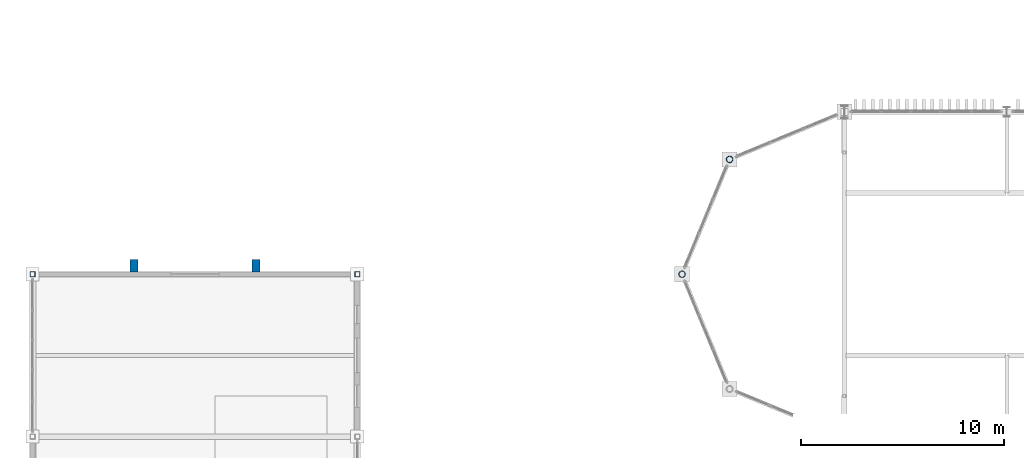
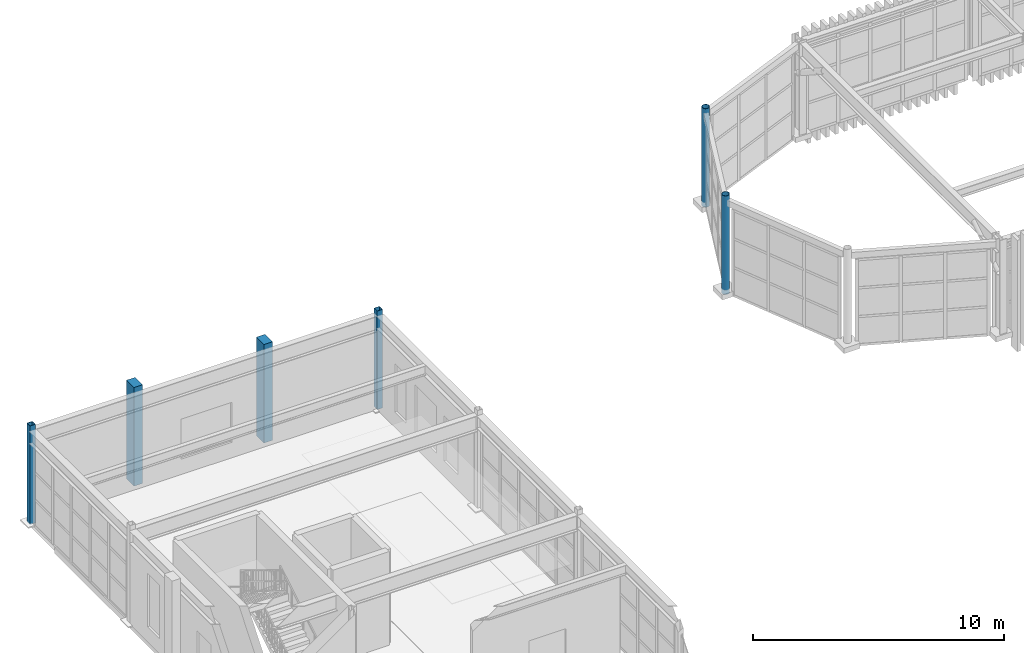
# One storey, part 6 of 61: 6 columns.
"""IFC4 building model written with IfcOpenShell, lengths in metres."""

from ifc_helpers import new_model, si_unit, direction, frame, origin, origin_2d, place, context, subcontext, project, spatial, rectangle, hollow_rectangle, hollow_circle, extrude, material, material_profile, profile_set, type_object, element, save


model = new_model("IFC4")

# Units and contexts
model_context = context("Model", 3, precision=1e-05, world=origin(), true_north=direction((0.0, 1.0)))
body_context = subcontext(model_context, "Body", "Model", "MODEL_VIEW")
ifc_project = project(units=[si_unit("LENGTHUNIT", "METRE"), si_unit("AREAUNIT", "SQUARE_METRE"), si_unit("VOLUMEUNIT", "CUBIC_METRE"), si_unit("PLANEANGLEUNIT", "RADIAN"), si_unit("MASSUNIT", "GRAM", prefix="KILO")], contexts=[model_context])

# Site, building, storey
site_placement = place(None, origin())
site = spatial("IfcSite", under=ifc_project, at=site_placement, CompositionType="ELEMENT")
building_placement = place(site_placement, origin())
building = spatial("IfcBuilding", under=site, at=building_placement, Name="Serraluz Foothill Cableway Terminal", CompositionType="ELEMENT")
storey_placement = place(building_placement, frame((0.0, 0.0, 15.0)))
storey = spatial("IfcBuildingStorey", under=building, at=storey_placement, Name="L03", CompositionType="ELEMENT", Elevation=15.0)

# Columns
ifc_material_1 = material(Name="Steel ASTM A572 Grade 50", Category="steel")
ifc_material_profile_1 = material_profile(ifc_material_1, hollow_circle(Radius=0.161865234375, WallThickness=0.01611328125, at=origin_2d()), Name="CHS324X16")
ifc_profile_set_1 = profile_set([ifc_material_profile_1], Name="Steel ASTM A572 Grade 50")
column_type_1 = type_object("IfcColumnType", Name="TYP-COL-CHS324", PredefinedType="COLUMN", material=ifc_profile_set_1)
for number, where, z_axis, x_axis, name in (
    (1, (32.0, 64.0, 0.0), (0.0, 0.0, 1.0), (1.0, 0.0, 0.0), "Column COL-V1-ARC-W2-L03"),
    (2, (34.343017578125, 69.656982421875, 0.0), (0.0, 0.0, 1.0), (1.0, 0.0, 0.0), "Column COL-V1-ARC-W3-L03"),
):
    element("IfcColumn", number, at=place(storey_placement, frame(where, z_axis=z_axis, x_axis=x_axis)), inside=storey, type_object=column_type_1, Name=name, PredefinedType="COLUMN", context=body_context, shape_type="SweptSolid", body=[
        extrude(hollow_circle(Radius=0.161865234375, WallThickness=0.01611328125, at=origin_2d()), origin(), (0.0, 0.0, 1.0), 4.800048828125),
    ])
ifc_material_profile_2 = material_profile(ifc_material_1, hollow_rectangle(XDim=0.25, YDim=0.25, WallThickness=0.011962890625, at=origin_2d()), Name="HSS250X250X12")
ifc_profile_set_2 = profile_set([ifc_material_profile_2], Name="Steel ASTM A572 Grade 50")
column_type_2 = type_object("IfcColumnType", Name="TYP-COL-HSS250", PredefinedType="COLUMN", material=ifc_profile_set_2)
for number, where, z_axis, x_axis, name in (
    (3, (0.0, 64.0, 0.0), (0.0, 0.0, 1.0), (1.0, 0.0, 0.0), "Column COL-V5-0-64-L03"),
    (4, (16.0, 64.0, 0.0), (0.0, 0.0, 1.0), (1.0, 0.0, 0.0), "Column COL-V5-16-64-L03"),
):
    element("IfcColumn", number, at=place(storey_placement, frame(where, z_axis=z_axis, x_axis=x_axis)), inside=storey, type_object=column_type_2, Name=name, PredefinedType="COLUMN", context=body_context, shape_type="SweptSolid", body=[
        extrude(hollow_rectangle(XDim=0.25, YDim=0.25, WallThickness=0.011962890625, at=origin_2d()), origin(), (0.0, 0.0, 1.0), 4.800048828125),
    ])
ifc_material_2 = material(Name="Fired clay masonry brick (f'm 12 MPa)", Category="masonry")
ifc_material_profile_3 = material_profile(ifc_material_2, rectangle(XDim=0.39990234375, YDim=0.60009765625, at=origin_2d()), Name="PIL 400x600")
ifc_profile_set_3 = profile_set([ifc_material_profile_3], Name="Fired clay masonry brick (f'm 12 MPa)")
column_type_3 = type_object("IfcColumnType", Name="TYP-PIL-400X600", PredefinedType="PILASTER", material=ifc_profile_set_3)
for number, where, z_axis, x_axis, name in (
    (5, (5.0, 64.419921875, 0.0), (0.0, 0.0, 1.0), (1.0, 0.0, 0.0), "Brick Pilaster Pier PL-36 L03"),
    (6, (11.0, 64.419921875, 0.0), (0.0, 0.0, 1.0), (1.0, 0.0, 0.0), "Brick Pilaster Pier PL-37 L03"),
):
    element("IfcColumn", number, at=place(storey_placement, frame(where, z_axis=z_axis, x_axis=x_axis)), inside=storey, type_object=column_type_3, Name=name, PredefinedType="PILASTER", context=body_context, shape_type="SweptSolid", body=[
        extrude(rectangle(XDim=0.39990234375, YDim=0.60009765625, at=origin_2d()), origin(), (0.0, 0.0, 1.0), 4.800048828125),
    ])

save(model, "model.ifc")
